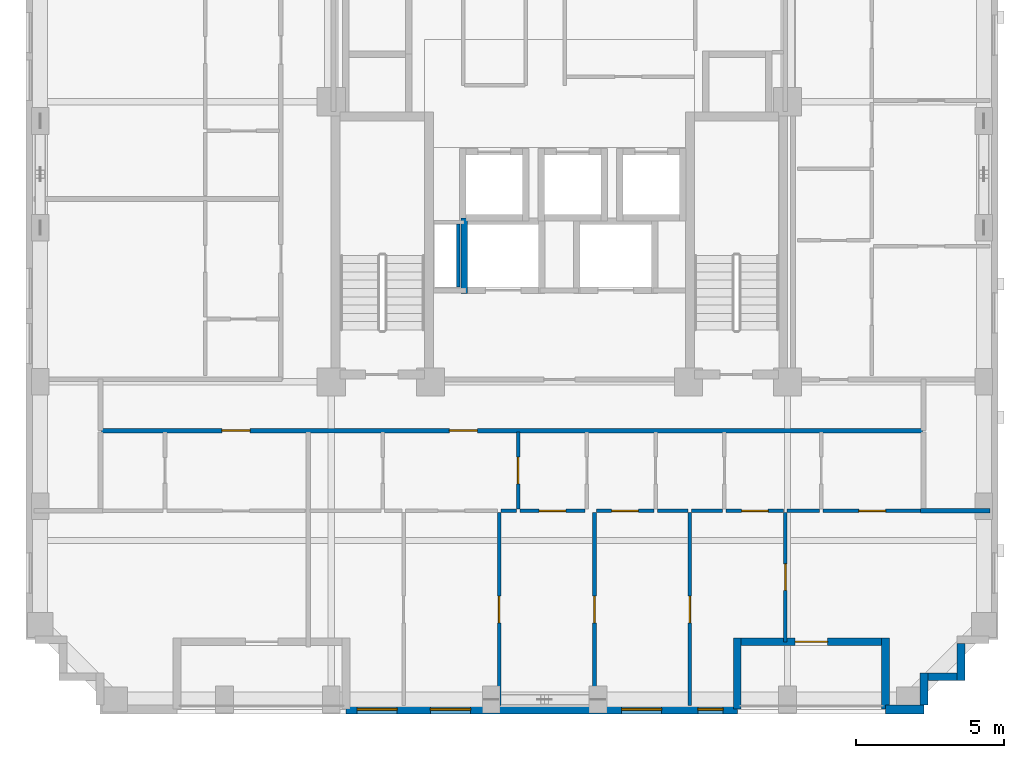
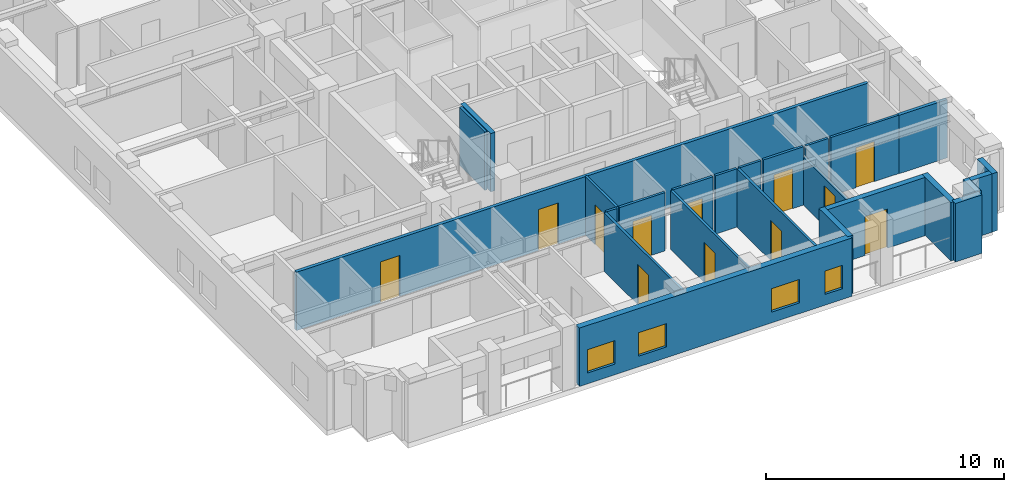
# One storey, part 3 of 11: 25 walls, 12 doors, 4 windows, 16 openings.
"""IFC4 building model written with IfcOpenShell, lengths in metres."""

import ifcopenshell
import ifcopenshell.guid

model = None  # the IFC model being written
_history = None  # IfcOwnerHistory: only IFC2X3 demands one
_inside = {}  # id of a spatial element -> (the spatial element, [elements in it])
_under = {}  # id of a project, library or spatial element -> (it, [spatial elements below it])
_declared = {}  # id of a project -> (the project, [libraries it declares])
_typed = {}  # id of a type object -> (the type object, [elements of that type])
_made_of = {}  # id of a material, layer set ... -> (it, [elements and type objects made of it])


def new_model(schema):
    """Start an empty IFC model of exactly this schema.

    Asked for "IFC4X3", IfcOpenShell would pick the latest addendum, in which some entities
    have other attributes; the version numbers below select the first issue.
    IFC2X3 requires an IfcOwnerHistory on every rooted entity: one is made here for all.
    """
    global model, _history
    if schema == "IFC4X3":
        model = ifcopenshell.file(schema_version=(4, 3, 0, 0))
    else:
        model = ifcopenshell.file(schema=schema)
    _inside.clear()
    _under.clear()
    _declared.clear()
    _typed.clear()
    _made_of.clear()
    _history = None
    if model.schema == "IFC2X3":
        org = make("IfcOrganization", Name="unknown")
        user = make(
            "IfcPersonAndOrganization",
            ThePerson=make("IfcPerson", FamilyName="unknown"),
            TheOrganization=org,
        )
        app = make(
            "IfcApplication",
            ApplicationDeveloper=org,
            Version="unknown",
            ApplicationFullName="unknown",
            ApplicationIdentifier="unknown",
        )
        _history = make(
            "IfcOwnerHistory",
            OwningUser=user,
            OwningApplication=app,
            ChangeAction="ADDED",
            CreationDate=0,
        )
    return model


def make(cls, **values):
    """One entity of the class cls with the attributes given. An attribute that is None is left unset."""
    return model.create_entity(
        cls, **{name: value for name, value in values.items() if value is not None}
    )


def rooted(cls, **values):
    """An entity with a GlobalId (a new one), such as an element, a storey or a relation."""
    return make(cls, GlobalId=ifcopenshell.guid.new(), OwnerHistory=_history, **values)


def si_unit(unit_type, name, prefix=None):
    """IfcSIUnit, for example si_unit("LENGTHUNIT", "METRE", prefix="MILLI")."""
    return make("IfcSIUnit", UnitType=unit_type, Prefix=prefix, Name=name)


def derived_unit(unit_type, elements):
    """IfcDerivedUnit: a product of units, each with its exponent."""
    return make(
        "IfcDerivedUnit",
        Elements=[
            make("IfcDerivedUnitElement", Unit=unit, Exponent=power)
            for unit, power in elements
        ],
        UnitType=unit_type,
    )


def assignment(units):
    """IfcUnitAssignment: the units of a project."""
    return None if units is None else make("IfcUnitAssignment", Units=units)


def point(xyz):
    """IfcCartesianPoint."""
    return None if xyz is None else make("IfcCartesianPoint", Coordinates=xyz)


def direction(xyz):
    """IfcDirection."""
    return None if xyz is None else make("IfcDirection", DirectionRatios=xyz)


def frame(location, z_axis=None, x_axis=None):
    """IfcAxis2Placement3D, a coordinate frame: its origin and axes. An axis left out is left unset."""
    return make(
        "IfcAxis2Placement3D",
        Location=point(location),
        Axis=direction(z_axis),
        RefDirection=direction(x_axis),
    )


def frame_2d(location, x_axis=None):
    """IfcAxis2Placement2D, a coordinate frame in the plane: its origin and x axis."""
    return make(
        "IfcAxis2Placement2D", Location=point(location), RefDirection=direction(x_axis)
    )


def origin():
    """The frame at (0, 0, 0) with its axes left unset."""
    return frame((0.0, 0.0, 0.0))


def place(relative_to, where):
    """IfcLocalPlacement: puts the frame where relative to a parent placement (None: the world)."""
    return make(
        "IfcLocalPlacement", PlacementRelTo=relative_to, RelativePlacement=where
    )


def context(
    kind, dimensions, precision=None, world=None, true_north=None, identifier=None
):
    """IfcGeometricRepresentationContext, for example the 3D "Model" context."""
    return make(
        "IfcGeometricRepresentationContext",
        ContextIdentifier=identifier,
        ContextType=kind,
        CoordinateSpaceDimension=dimensions,
        Precision=precision,
        WorldCoordinateSystem=world,
        TrueNorth=true_north,
    )


def subcontext(parent, identifier, kind, view, scale=None):
    """IfcGeometricRepresentationSubContext, for example "Body" below "Model"."""
    return make(
        "IfcGeometricRepresentationSubContext",
        ContextIdentifier=identifier,
        ContextType=kind,
        ParentContext=parent,
        TargetScale=scale,
        TargetView=view,
    )


def project(units=None, contexts=None):
    """IfcProject with its units and contexts."""
    return rooted(
        "IfcProject",
        Name="project",
        RepresentationContexts=contexts,
        UnitsInContext=assignment(units),
    )


def spatial(cls, under=None, at=None, **own):
    """A site, building, storey or space (cls), placed at a placement, below another one or the project."""
    s = rooted(cls, ObjectPlacement=at, **own)
    if under is not None:
        _under.setdefault(under.id(), (under, []))[1].append(s)
    return s


def profile(cls, at=None, kind="AREA", **sizes):
    """A parametric profile (cls). Its sizes go by their IFC names, for example OverallWidth=200.0."""
    return make(cls, ProfileType=kind, Position=at, **sizes)


def rectangle(**sizes):
    """IfcRectangleProfileDef."""
    return profile("IfcRectangleProfileDef", **sizes)


def extrude(swept, where, along, depth):
    """IfcExtrudedAreaSolid: the profile swept, set in the frame where, extruded along a direction by depth."""
    return make(
        "IfcExtrudedAreaSolid",
        SweptArea=swept,
        Position=where,
        ExtrudedDirection=direction(along),
        Depth=depth,
    )


def shape(context_of_items, identifier, shape_type, items):
    """IfcShapeRepresentation: the items that make up one representation, for example the "Body"."""
    return make(
        "IfcShapeRepresentation",
        ContextOfItems=context_of_items,
        RepresentationIdentifier=identifier,
        RepresentationType=shape_type,
        Items=items,
    )


def material(Name=None, Category=None):
    """IfcMaterial."""
    return make("IfcMaterial", Name=Name, Category=Category)


def layer(
    of_material, thickness, ventilated=None, Name=None, Category=None, Priority=None
):
    """IfcMaterialLayer: one layer of a wall or slab, of a material (None: an air gap)."""
    return make(
        "IfcMaterialLayer",
        Material=of_material,
        LayerThickness=thickness,
        IsVentilated=ventilated,
        Name=Name,
        Category=Category,
        Priority=Priority,
    )


def layer_set(layers, Name=None):
    """IfcMaterialLayerSet."""
    return make("IfcMaterialLayerSet", MaterialLayers=layers, LayerSetName=Name)


def made_of(thing, what):
    """Note that an element or type object is made of a material, layer set ...; save() writes the relation."""
    if what is not None:
        _made_of.setdefault(what.id(), (what, []))[1].append(thing)
    return thing


def type_object(cls, material=None, **own):
    """A type object (cls), such as IfcWallType, which elements share."""
    return made_of(rooted(cls, **own), material)


def element(
    cls,
    number,
    at=None,
    inside=None,
    cuts=None,
    type_object=None,
    material=None,
    context=None,
    identifier="Body",
    shape_type=None,
    held_by="IfcProductDefinitionShape",
    body=None,
    shapes=None,
    **own,
):
    """One element of the class cls, such as IfcWall. Its Tag is "e" and its number.

    at: its placement. inside: the storey or other place that contains it. cuts: it is an
    opening in that element (IfcRelVoidsElement). A single representation is given by context,
    identifier, shape_type and body (its items); several are given by shapes. held_by: the class
    of the entity that holds the representations. save() writes the other relations.
    """
    e = rooted(cls, Tag="e%d" % number, ObjectPlacement=at, **own)
    if body is not None:
        shapes = [shape(context, identifier, shape_type, body)]
    if shapes is not None:
        e.Representation = make(held_by, Representations=shapes)
    if inside is not None:
        _inside.setdefault(inside.id(), (inside, []))[1].append(e)
    if cuts is not None:
        rooted(
            "IfcRelVoidsElement", RelatingBuildingElement=cuts, RelatedOpeningElement=e
        )
    if type_object is not None:
        _typed.setdefault(type_object.id(), (type_object, []))[1].append(e)
    return made_of(e, material)


def fill(opening, filler):
    """IfcRelFillsElement: the door or window that sits in an opening."""
    return rooted(
        "IfcRelFillsElement",
        RelatingOpeningElement=opening,
        RelatedBuildingElement=filler,
    )


def aggregate(whole, parts):
    """IfcRelAggregates: a whole, such as a stair, and the parts it consists of."""
    return rooted("IfcRelAggregates", RelatingObject=whole, RelatedObjects=parts)


def save(model, path):
    """Write the relations noted so far, then the file.

    IfcRelAggregates (storeys below a building ...), IfcRelContainedInSpatialStructure (elements
    in a storey), IfcRelDefinesByType, IfcRelAssociatesMaterial and IfcRelDeclares: one each for
    every whole, place, type object, material and project.
    """
    for whole, parts in _under.values():
        aggregate(whole, parts)
    for where, things in _inside.values():
        rooted(
            "IfcRelContainedInSpatialStructure",
            RelatedElements=things,
            RelatingStructure=where,
        )
    for kind, things in _typed.values():
        rooted("IfcRelDefinesByType", RelatedObjects=things, RelatingType=kind)
    for what, things in _made_of.values():
        rooted("IfcRelAssociatesMaterial", RelatedObjects=things, RelatingMaterial=what)
    for by, libraries in _declared.values():
        rooted("IfcRelDeclares", RelatingContext=by, RelatedDefinitions=libraries)
    model.write(path)


model = new_model("IFC4")

# Units and contexts
model_context = context("Model", 3, precision=1e-05, world=origin(), true_north=direction((0.0, 1.0)))
body_context = subcontext(model_context, "Body", "Model", "MODEL_VIEW")
ifc_project = project(units=[si_unit("LENGTHUNIT", "METRE"), si_unit("AREAUNIT", "SQUARE_METRE"), si_unit("VOLUMEUNIT", "CUBIC_METRE"), si_unit("PLANEANGLEUNIT", "RADIAN"), si_unit("MASSUNIT", "GRAM", prefix="KILO"), derived_unit("THERMALTRANSMITTANCEUNIT", [(si_unit("MASSUNIT", "GRAM", prefix="KILO"), 1), (si_unit("TIMEUNIT", "SECOND"), -3), (si_unit("THERMODYNAMICTEMPERATUREUNIT", "KELVIN"), -1)])], contexts=[model_context])

# Site, building, storey
site_placement = place(None, origin())
site = spatial("IfcSite", under=ifc_project, at=site_placement, CompositionType="ELEMENT")
building_placement = place(site_placement, origin())
building = spatial("IfcBuilding", under=site, at=building_placement, Name="Korrvale Station Residences", CompositionType="ELEMENT")
storey_placement = place(building_placement, frame((0.0, 0.0, 147.14990234375)))
storey = spatial("IfcBuildingStorey", under=building, at=storey_placement, Name="L42", CompositionType="ELEMENT", Elevation=147.14990234375)

# Wall
ifc_material_1 = material(Name="Precast concrete C45/55", Category="concrete")
ifc_layer_1 = layer(ifc_material_1, 0.260009765625, Name="Precast concrete C45/55")
ifc_layer_set_1 = layer_set([ifc_layer_1], Name="Precast concrete C45/55")
wall_type_1 = type_object("IfcWallType", Name="WAL-EXT-LOG260", PredefinedType="SOLIDWALL", material=ifc_layer_set_1)
wall_1_placement = place(storey_placement, frame((36.5, 3.9599609375, 0.0), z_axis=(0.0, 0.0, 1.0), x_axis=(0.0, 1.0, 0.0)))
element("IfcWall", 1, at=wall_1_placement, inside=storey, type_object=wall_type_1, Name="L42 Recessed Loggia Wall BAL-L42-S2-L", PredefinedType="SOLIDWALL", context=body_context, shape_type="SweptSolid", body=[
    extrude(rectangle(XDim=2.400146484375, YDim=0.260009765625, at=frame_2d((1.2001953125, 0.0))), origin(), (0.0, 0.0, 1.0), 2.989990234375),
])

# Wall, opening, door
wall_2_placement = place(storey_placement, frame((36.365966796875, 6.22998046875, 0.0), z_axis=(0.0, 0.0, 1.0), x_axis=(-1.0, 0.0, 0.0)))
wall_2 = element("IfcWall", 2, at=wall_2_placement, inside=storey, type_object=wall_type_1, Name="L42 Recessed Loggia Wall BAL-L42-S2-B", PredefinedType="SOLIDWALL", context=body_context, shape_type="SweptSolid", body=[
    extrude(rectangle(XDim=4.73193359375, YDim=0.260009765625, at=frame_2d((2.365966796875, 0.0))), origin(), (0.0, 0.0, 1.0), 2.989990234375),
])
opening_1_placement = place(wall_2_placement, frame((1.81591796875, 0.0, 0.0)))
opening_1 = element("IfcOpeningElement", 3, at=opening_1_placement, cuts=wall_2, Name="Opening BD-01", PredefinedType="OPENING", context=body_context, shape_type="SweptSolid", body=[
    extrude(rectangle(XDim=1.10009765625, YDim=2.0, at=frame_2d((0.550048828125, 1.0))), frame((0.0, 0.14013671875, 0.0), z_axis=(0.0, -1.0, 0.0), x_axis=(1.0, 0.0, 0.0)), (0.0, 0.0, 1.0), 0.280029296875),
])
ifc_material_2 = material(Name="Exterior thermally broken aluminium glazed balcony door", Category="aluminium")
door_type_1 = type_object("IfcDoorType", Name="DR-EXT-BAL", OperationType="NOTDEFINED", PredefinedType="DOOR", material=ifc_material_2)
door_1_placement = place(opening_1_placement, origin())
door_1 = element("IfcDoor", 4, at=door_1_placement, inside=storey, type_object=door_type_1, Name="L42 Loggia Balcony Door BAL-L42-S2", OperationType="SINGLE_SWING_RIGHT", OverallHeight=2.0, OverallWidth=1.10009765625, PredefinedType="DOOR", context=body_context, shape_type="SweptSolid", body=[
    extrude(rectangle(XDim=1.10009765625, YDim=2.0, at=frame_2d((0.550048828125, 1.0))), frame((0.0, 0.02490234375, 0.0), z_axis=(0.0, -1.0, 0.0), x_axis=(1.0, 0.0, 0.0)), (0.0, 0.0, 1.0), 0.050048828125),
])
fill(opening_1, door_1)

# Walls
wall_3_placement = place(storey_placement, frame((31.5, 6.360107421875, 0.0), z_axis=(0.0, 0.0, 1.0), x_axis=(0.0, -1.0, 0.0)))
element("IfcWall", 5, at=wall_3_placement, inside=storey, type_object=wall_type_1, Name="L42 Recessed Loggia Wall BAL-L42-S2-R", PredefinedType="SOLIDWALL", context=body_context, shape_type="SweptSolid", body=[
    extrude(rectangle(XDim=2.400146484375, YDim=0.260009765625, at=frame_2d((1.2001953125, 0.0))), origin(), (0.0, 0.0, 1.0), 2.989990234375),
])
wall_4_placement = place(storey_placement, frame((39.050048828125, 6.16796875, 0.0), z_axis=(0.0, 0.0, 1.0), x_axis=(0.0, -1.0, 0.0)))
element("IfcWall", 6, at=wall_4_placement, inside=storey, type_object=wall_type_1, Name="L42 Serrated Corner Precast Step SE-2", PredefinedType="SOLIDWALL", context=body_context, shape_type="SweptSolid", body=[
    extrude(rectangle(XDim=1.248046875, YDim=0.260009765625, at=frame_2d((0.6240234375, 0.0))), origin(), (0.0, 0.0, 1.0), 2.989990234375),
])
wall_5_placement = place(storey_placement, frame((38.91796875, 5.050048828125, 0.0), z_axis=(0.0, 0.0, 1.0), x_axis=(-1.0, 0.0, 0.0)))
element("IfcWall", 7, at=wall_5_placement, inside=storey, type_object=wall_type_1, Name="L42 Serrated Corner Precast Step SE-3", PredefinedType="SOLIDWALL", context=body_context, shape_type="SweptSolid", body=[
    extrude(rectangle(XDim=0.986083984375, YDim=0.260009765625, at=frame_2d((0.4931640625, 0.0))), origin(), (0.0, 0.0, 1.0), 2.989990234375),
])
wall_6_placement = place(storey_placement, frame((37.800048828125, 5.179931640625, 0.0), z_axis=(0.0, 0.0, 1.0), x_axis=(0.0, -1.0, 0.0)))
element("IfcWall", 8, at=wall_6_placement, inside=storey, type_object=wall_type_1, Name="L42 Serrated Corner Precast Step SE-4", PredefinedType="SOLIDWALL", context=body_context, shape_type="SweptSolid", body=[
    extrude(rectangle(XDim=1.077880859375, YDim=0.260009765625, at=frame_2d((0.5390625, 0.0))), origin(), (0.0, 0.0, 1.0), 2.989990234375),
])
ifc_layer_2 = layer(ifc_material_1, 0.300048828125, Name="Precast concrete C45/55")
ifc_layer_set_2 = layer_set([ifc_layer_2], Name="Precast concrete C45/55")
wall_type_2 = type_object("IfcWallType", Name="WAL-EXT-PC300", PredefinedType="SOLIDWALL", material=ifc_layer_set_2)
wall_7_placement = place(storey_placement, frame((37.800048828125, 3.949951171875, 0.0), z_axis=(0.0, 0.0, 1.0), x_axis=(-1.0, 0.0, 0.0)))
element("IfcWall", 9, at=wall_7_placement, inside=storey, type_object=wall_type_2, Name="L42 South Exterior Precast Wall 1", PredefinedType="SOLIDWALL", context=body_context, shape_type="SweptSolid", body=[
    extrude(rectangle(XDim=1.300048828125, YDim=0.300048828125, at=frame_2d((0.64990234375, 0.0))), origin(), (0.0, 0.0, 1.0), 2.989990234375),
])

# Wall, openings, windows
wall_8_placement = place(storey_placement, frame((31.5, 3.949951171875, 0.0), z_axis=(0.0, 0.0, 1.0), x_axis=(-1.0, 0.0, 0.0)))
wall_8 = element("IfcWall", 10, at=wall_8_placement, inside=storey, type_object=wall_type_2, Name="L42 South Exterior Precast Wall 2", PredefinedType="SOLIDWALL", context=body_context, shape_type="SweptSolid", body=[
    extrude(rectangle(XDim=13.199951171875, YDim=0.300048828125, at=frame_2d((6.60009765625, 0.0))), origin(), (0.0, 0.0, 1.0), 2.989990234375),
])
opening_2_placement = place(wall_8_placement, frame((11.47607421875, 0.0, 0.550048828125)))
opening_2 = element("IfcOpeningElement", 11, at=opening_2_placement, cuts=wall_8, Name="Opening W-10", PredefinedType="OPENING", context=body_context, shape_type="SweptSolid", body=[
    extrude(rectangle(XDim=1.35009765625, YDim=1.199951171875, at=frame_2d((0.675048828125, 0.60009765625))), frame((0.0, 0.16015625, 0.0), z_axis=(0.0, -1.0, 0.0), x_axis=(1.0, 0.0, 0.0)), (0.0, 0.0, 1.0), 0.320068359375),
])
opening_3_placement = place(wall_8_placement, frame((9.0, 0.0, 0.550048828125)))
opening_3 = element("IfcOpeningElement", 12, at=opening_3_placement, cuts=wall_8, Name="Opening W-10", PredefinedType="OPENING", context=body_context, shape_type="SweptSolid", body=[
    extrude(rectangle(XDim=1.35009765625, YDim=1.199951171875, at=frame_2d((0.675048828125, 0.60009765625))), frame((0.0, 0.16015625, 0.0), z_axis=(0.0, -1.0, 0.0), x_axis=(1.0, 0.0, 0.0)), (0.0, 0.0, 1.0), 0.320068359375),
])
opening_4_placement = place(wall_8_placement, frame((2.550048828125, 0.0, 0.550048828125)))
opening_4 = element("IfcOpeningElement", 13, at=opening_4_placement, cuts=wall_8, Name="Opening W-10", PredefinedType="OPENING", context=body_context, shape_type="SweptSolid", body=[
    extrude(rectangle(XDim=1.35009765625, YDim=1.199951171875, at=frame_2d((0.675048828125, 0.60009765625))), frame((0.0, 0.16015625, 0.0), z_axis=(0.0, -1.0, 0.0), x_axis=(1.0, 0.0, 0.0)), (0.0, 0.0, 1.0), 0.320068359375),
])
opening_5_placement = place(wall_8_placement, frame((0.47509765625, 0.0, 0.550048828125)))
opening_5 = element("IfcOpeningElement", 14, at=opening_5_placement, cuts=wall_8, Name="Opening W-11", PredefinedType="OPENING", context=body_context, shape_type="SweptSolid", body=[
    extrude(rectangle(XDim=0.85009765625, YDim=1.199951171875, at=frame_2d((0.425048828125, 0.60009765625))), frame((0.0, 0.16015625, 0.0), z_axis=(0.0, -1.0, 0.0), x_axis=(1.0, 0.0, 0.0)), (0.0, 0.0, 1.0), 0.320068359375),
])
ifc_material_3 = material(Name="Thermally broken aluminium frame with triple low-e glazing", Category="aluminium")
window_type_1 = type_object("IfcWindowType", Name="WIN-W10", PartitioningType="SINGLE_PANEL", PredefinedType="WINDOW", material=ifc_material_3)
window_1_placement = place(opening_2_placement, origin())
window_1 = element("IfcWindow", 15, at=window_1_placement, inside=storey, type_object=window_type_1, Name="L42 Punched Window 02", OverallHeight=1.199951171875, OverallWidth=1.35009765625, PartitioningType="SINGLE_PANEL", PredefinedType="WINDOW", context=body_context, shape_type="SweptSolid", body=[
    extrude(rectangle(XDim=1.35009765625, YDim=1.199951171875, at=frame_2d((0.675048828125, 0.60009765625))), frame((0.0, 0.030029296875, 0.0), z_axis=(0.0, -1.0, 0.0), x_axis=(1.0, 0.0, 0.0)), (0.0, 0.0, 1.0), 0.06005859375),
])
fill(opening_2, window_1)
window_2_placement = place(opening_3_placement, origin())
window_2 = element("IfcWindow", 16, at=window_2_placement, inside=storey, type_object=window_type_1, Name="L42 Punched Window 03", OverallHeight=1.199951171875, OverallWidth=1.35009765625, PartitioningType="SINGLE_PANEL", PredefinedType="WINDOW", context=body_context, shape_type="SweptSolid", body=[
    extrude(rectangle(XDim=1.35009765625, YDim=1.199951171875, at=frame_2d((0.675048828125, 0.60009765625))), frame((0.0, 0.030029296875, 0.0), z_axis=(0.0, -1.0, 0.0), x_axis=(1.0, 0.0, 0.0)), (0.0, 0.0, 1.0), 0.06005859375),
])
fill(opening_3, window_2)
window_3_placement = place(opening_4_placement, origin())
window_3 = element("IfcWindow", 17, at=window_3_placement, inside=storey, type_object=window_type_1, Name="L42 Punched Window 04", OverallHeight=1.199951171875, OverallWidth=1.35009765625, PartitioningType="SINGLE_PANEL", PredefinedType="WINDOW", context=body_context, shape_type="SweptSolid", body=[
    extrude(rectangle(XDim=1.35009765625, YDim=1.199951171875, at=frame_2d((0.675048828125, 0.60009765625))), frame((0.0, 0.030029296875, 0.0), z_axis=(0.0, -1.0, 0.0), x_axis=(1.0, 0.0, 0.0)), (0.0, 0.0, 1.0), 0.06005859375),
])
fill(opening_4, window_3)
window_type_2 = type_object("IfcWindowType", Name="WIN-W11", PartitioningType="SINGLE_PANEL", PredefinedType="WINDOW", material=ifc_material_3)
window_4_placement = place(opening_5_placement, origin())
window_4 = element("IfcWindow", 18, at=window_4_placement, inside=storey, type_object=window_type_2, Name="L42 Punched Window 05", OverallHeight=1.199951171875, OverallWidth=0.85009765625, PartitioningType="SINGLE_PANEL", PredefinedType="WINDOW", context=body_context, shape_type="SweptSolid", body=[
    extrude(rectangle(XDim=0.85009765625, YDim=1.199951171875, at=frame_2d((0.425048828125, 0.60009765625))), frame((0.0, 0.030029296875, 0.0), z_axis=(0.0, -1.0, 0.0), x_axis=(1.0, 0.0, 0.0)), (0.0, 0.0, 1.0), 0.06005859375),
])
fill(opening_5, window_4)

# Wall
ifc_material_4 = material(Name="Acoustic steel-stud gypsum board partition", Category="steel")
ifc_layer_3 = layer(ifc_material_4, 0.1201171875, Name="Acoustic steel-stud gypsum board partition")
ifc_layer_set_3 = layer_set([ifc_layer_3], Name="Acoustic steel-stud gypsum board partition")
wall_type_3 = type_object("IfcWallType", Name="WAL-PART-125", PredefinedType="PARTITIONING", material=ifc_layer_set_3)
wall_9_placement = place(storey_placement, frame((22.080078125, 18.199951171875, 0.0), z_axis=(0.0, 0.0, 1.0), x_axis=(0.0, 1.0, 0.0)))
element("IfcWall", 19, at=wall_9_placement, inside=storey, type_object=wall_type_3, Name="L42 Core Partition CW-RSWT", PredefinedType="PARTITIONING", context=body_context, shape_type="SweptSolid", body=[
    extrude(rectangle(XDim=2.1201171875, YDim=0.1201171875, at=frame_2d((1.06005859375, 0.0))), origin(), (0.0, 0.0, 1.0), 2.989990234375),
])

# Wall, opening, door
wall_10_placement = place(storey_placement, frame((24.10400390625, 10.7099609375, 0.0), z_axis=(0.0, 0.0, 1.0), x_axis=(0.0, 1.0, 0.0)))
wall_10 = element("IfcWall", 20, at=wall_10_placement, inside=storey, type_object=wall_type_3, Name="L42 Suite Partition U02-V12", PredefinedType="PARTITIONING", context=body_context, shape_type="SweptSolid", body=[
    extrude(rectangle(XDim=2.60009765625, YDim=0.1201171875, at=frame_2d((1.300048828125, 0.0))), origin(), (0.0, 0.0, 1.0), 2.989990234375),
])
opening_6_placement = place(wall_10_placement, frame((0.85009765625, 0.0, 0.0)))
opening_6 = element("IfcOpeningElement", 21, at=opening_6_placement, cuts=wall_10, Name="Opening DI-900", PredefinedType="OPENING", context=body_context, shape_type="SweptSolid", body=[
    extrude(rectangle(XDim=0.89990234375, YDim=2.050048828125, at=frame_2d((0.449951171875, 1.02490234375))), frame((0.0, 0.070068359375, 0.0), z_axis=(0.0, -1.0, 0.0), x_axis=(1.0, 0.0, 0.0)), (0.0, 0.0, 1.0), 0.14013671875),
])
ifc_material_5 = material(Name="Painted solid-core timber interior room door", Category="wood")
door_type_2 = type_object("IfcDoorType", Name="DR-INT-900", OperationType="NOTDEFINED", PredefinedType="DOOR", material=ifc_material_5)
door_2_placement = place(opening_6_placement, origin())
door_2 = element("IfcDoor", 22, at=door_2_placement, inside=storey, type_object=door_type_2, Name="L42 Studio Apartment L42-U02 Kitchen Door", OperationType="SINGLE_SWING_LEFT", OverallHeight=2.050048828125, OverallWidth=0.89990234375, PredefinedType="DOOR", context=body_context, shape_type="SweptSolid", body=[
    extrude(rectangle(XDim=0.89990234375, YDim=2.050048828125, at=frame_2d((0.449951171875, 1.02490234375))), frame((0.0, 0.02490234375, 0.0), z_axis=(0.0, -1.0, 0.0), x_axis=(1.0, 0.0, 0.0)), (0.0, 0.0, 1.0), 0.050048828125),
])
fill(opening_6, door_2)

# Wall
wall_11_placement = place(storey_placement, frame((23.52392578125, 10.64990234375, 0.0), z_axis=(0.0, 0.0, 1.0), x_axis=(1.0, 0.0, 0.0)))
element("IfcWall", 23, at=wall_11_placement, inside=storey, type_object=wall_type_3, Name="L42 Suite Partition U02-H19", PredefinedType="PARTITIONING", context=body_context, shape_type="SweptSolid", body=[
    extrude(rectangle(XDim=0.52001953125, YDim=0.1201171875, at=frame_2d((0.260009765625, 0.0))), origin(), (0.0, 0.0, 1.0), 2.989990234375),
])

# Wall, opening, door
wall_12_placement = place(storey_placement, frame((24.1640625, 10.64990234375, 0.0), z_axis=(0.0, 0.0, 1.0), x_axis=(1.0, 0.0, 0.0)))
wall_12 = element("IfcWall", 24, at=wall_12_placement, inside=storey, type_object=wall_type_3, Name="L42 Suite Partition U02-H29", PredefinedType="PARTITIONING", context=body_context, shape_type="SweptSolid", body=[
    extrude(rectangle(XDim=2.199951171875, YDim=0.1201171875, at=frame_2d((1.10009765625, 0.0))), origin(), (0.0, 0.0, 1.0), 2.989990234375),
])
opening_7_placement = place(wall_12_placement, frame((0.64990234375, 0.0, 0.0)))
opening_7 = element("IfcOpeningElement", 25, at=opening_7_placement, cuts=wall_12, Name="Opening DI-900", PredefinedType="OPENING", context=body_context, shape_type="SweptSolid", body=[
    extrude(rectangle(XDim=0.89990234375, YDim=2.050048828125, at=frame_2d((0.449951171875, 1.02490234375))), frame((0.0, 0.070068359375, 0.0), z_axis=(0.0, -1.0, 0.0), x_axis=(1.0, 0.0, 0.0)), (0.0, 0.0, 1.0), 0.14013671875),
])
door_3_placement = place(opening_7_placement, origin())
door_3 = element("IfcDoor", 26, at=door_3_placement, inside=storey, type_object=door_type_2, Name="L42 Studio Apartment L42-U02 Wardrobe Storage Room Door", OperationType="SINGLE_SWING_RIGHT", OverallHeight=2.050048828125, OverallWidth=0.89990234375, PredefinedType="DOOR", context=body_context, shape_type="SweptSolid", body=[
    extrude(rectangle(XDim=0.89990234375, YDim=2.050048828125, at=frame_2d((0.449951171875, 1.02490234375))), frame((0.0, 0.02490234375, 0.0), z_axis=(0.0, -1.0, 0.0), x_axis=(1.0, 0.0, 0.0)), (0.0, 0.0, 1.0), 0.050048828125),
])
fill(opening_7, door_3)

wall_13_placement = place(storey_placement, frame((26.743896484375, 10.64990234375, 0.0), z_axis=(0.0, 0.0, 1.0), x_axis=(1.0, 0.0, 0.0)))
wall_13 = element("IfcWall", 27, at=wall_13_placement, inside=storey, type_object=wall_type_3, Name="L42 Suite Partition U02-H310", PredefinedType="PARTITIONING", context=body_context, shape_type="SweptSolid", body=[
    extrude(rectangle(XDim=1.940185546875, YDim=0.1201171875, at=frame_2d((0.97021484375, 0.0))), origin(), (0.0, 0.0, 1.0), 2.989990234375),
])
opening_8_placement = place(wall_13_placement, frame((0.52001953125, 0.0, 0.0)))
opening_8 = element("IfcOpeningElement", 28, at=opening_8_placement, cuts=wall_13, Name="Opening DI-900", PredefinedType="OPENING", context=body_context, shape_type="SweptSolid", body=[
    extrude(rectangle(XDim=0.89990234375, YDim=2.050048828125, at=frame_2d((0.449951171875, 1.02490234375))), frame((0.0, 0.070068359375, 0.0), z_axis=(0.0, -1.0, 0.0), x_axis=(1.0, 0.0, 0.0)), (0.0, 0.0, 1.0), 0.14013671875),
])
door_4_placement = place(opening_8_placement, origin())
door_4 = element("IfcDoor", 29, at=door_4_placement, inside=storey, type_object=door_type_2, Name="L42 Studio Apartment L42-U02 Wardrobe Storage Room Door", OperationType="SINGLE_SWING_RIGHT", OverallHeight=2.050048828125, OverallWidth=0.89990234375, PredefinedType="DOOR", context=body_context, shape_type="SweptSolid", body=[
    extrude(rectangle(XDim=0.89990234375, YDim=2.050048828125, at=frame_2d((0.449951171875, 1.02490234375))), frame((0.0, 0.02490234375, 0.0), z_axis=(0.0, -1.0, 0.0), x_axis=(1.0, 0.0, 0.0)), (0.0, 0.0, 1.0), 0.050048828125),
])
fill(opening_8, door_4)

# Walls
wall_14_placement = place(storey_placement, frame((28.803955078125, 10.64990234375, 0.0), z_axis=(0.0, 0.0, 1.0), x_axis=(1.0, 0.0, 0.0)))
element("IfcWall", 30, at=wall_14_placement, inside=storey, type_object=wall_type_3, Name="L42 Suite Partition U02-H410", PredefinedType="PARTITIONING", context=body_context, shape_type="SweptSolid", body=[
    extrude(rectangle(XDim=1.0400390625, YDim=0.1201171875, at=frame_2d((0.52001953125, 0.0))), origin(), (0.0, 0.0, 1.0), 2.989990234375),
])
wall_15_placement = place(storey_placement, frame((29.964111328125, 10.64990234375, 0.0), z_axis=(0.0, 0.0, 1.0), x_axis=(1.0, 0.0, 0.0)))
element("IfcWall", 31, at=wall_15_placement, inside=storey, type_object=wall_type_3, Name="L42 Suite Partition U02-H411", PredefinedType="PARTITIONING", context=body_context, shape_type="SweptSolid", body=[
    extrude(rectangle(XDim=1.039794921875, YDim=0.1201171875, at=frame_2d((0.52001953125, 0.0))), origin(), (0.0, 0.0, 1.0), 2.989990234375),
])

# Wall, opening, door
wall_16_placement = place(storey_placement, frame((31.1240234375, 10.64990234375, 0.0), z_axis=(0.0, 0.0, 1.0), x_axis=(1.0, 0.0, 0.0)))
wall_16 = element("IfcWall", 32, at=wall_16_placement, inside=storey, type_object=wall_type_3, Name="L42 Suite Partition U02-H511", PredefinedType="PARTITIONING", context=body_context, shape_type="SweptSolid", body=[
    extrude(rectangle(XDim=1.93994140625, YDim=0.1201171875, at=frame_2d((0.969970703125, 0.0))), origin(), (0.0, 0.0, 1.0), 2.989990234375),
])
opening_9_placement = place(wall_16_placement, frame((0.52001953125, 0.0, 0.0)))
opening_9 = element("IfcOpeningElement", 33, at=opening_9_placement, cuts=wall_16, Name="Opening DI-900", PredefinedType="OPENING", context=body_context, shape_type="SweptSolid", body=[
    extrude(rectangle(XDim=0.89990234375, YDim=2.050048828125, at=frame_2d((0.449951171875, 1.02490234375))), frame((0.0, 0.070068359375, 0.0), z_axis=(0.0, -1.0, 0.0), x_axis=(1.0, 0.0, 0.0)), (0.0, 0.0, 1.0), 0.14013671875),
])
door_5_placement = place(opening_9_placement, origin())
door_5 = element("IfcDoor", 34, at=door_5_placement, inside=storey, type_object=door_type_2, Name="L42 Studio Apartment L42-U02 Utility and Laundry Room Door", OperationType="SINGLE_SWING_LEFT", OverallHeight=2.050048828125, OverallWidth=0.89990234375, PredefinedType="DOOR", context=body_context, shape_type="SweptSolid", body=[
    extrude(rectangle(XDim=0.89990234375, YDim=2.050048828125, at=frame_2d((0.449951171875, 1.02490234375))), frame((0.0, 0.02490234375, 0.0), z_axis=(0.0, -1.0, 0.0), x_axis=(1.0, 0.0, 0.0)), (0.0, 0.0, 1.0), 0.050048828125),
])
fill(opening_9, door_5)

# Wall
wall_17_placement = place(storey_placement, frame((33.18408203125, 10.64990234375, 0.0), z_axis=(0.0, 0.0, 1.0), x_axis=(1.0, 0.0, 0.0)))
element("IfcWall", 35, at=wall_17_placement, inside=storey, type_object=wall_type_3, Name="L42 Suite Partition U02-H512", PredefinedType="PARTITIONING", context=body_context, shape_type="SweptSolid", body=[
    extrude(rectangle(XDim=1.08984375, YDim=0.1201171875, at=frame_2d((0.544921875, 0.0))), origin(), (0.0, 0.0, 1.0), 2.989990234375),
])

# Wall, opening, door
wall_18_placement = place(storey_placement, frame((34.39404296875, 10.64990234375, 0.0), z_axis=(0.0, 0.0, 1.0), x_axis=(1.0, 0.0, 0.0)))
wall_18 = element("IfcWall", 36, at=wall_18_placement, inside=storey, type_object=wall_type_3, Name="L42 Suite Partition U02-H612", PredefinedType="PARTITIONING", context=body_context, shape_type="SweptSolid", body=[
    extrude(rectangle(XDim=3.325927734375, YDim=0.1201171875, at=frame_2d((1.6630859375, 0.0))), origin(), (0.0, 0.0, 1.0), 2.989990234375),
])
opening_10_placement = place(wall_18_placement, frame((1.212890625, 0.0, 0.0)))
opening_10 = element("IfcOpeningElement", 37, at=opening_10_placement, cuts=wall_18, Name="Opening DI-900", PredefinedType="OPENING", context=body_context, shape_type="SweptSolid", body=[
    extrude(rectangle(XDim=0.89990234375, YDim=2.050048828125, at=frame_2d((0.449951171875, 1.02490234375))), frame((0.0, 0.070068359375, 0.0), z_axis=(0.0, -1.0, 0.0), x_axis=(1.0, 0.0, 0.0)), (0.0, 0.0, 1.0), 0.14013671875),
])
door_6_placement = place(opening_10_placement, origin())
door_6 = element("IfcDoor", 38, at=door_6_placement, inside=storey, type_object=door_type_2, Name="L42 Studio Apartment L42-U02 Storage Closet 2 Door", OperationType="SINGLE_SWING_RIGHT", OverallHeight=2.050048828125, OverallWidth=0.89990234375, PredefinedType="DOOR", context=body_context, shape_type="SweptSolid", body=[
    extrude(rectangle(XDim=0.89990234375, YDim=2.050048828125, at=frame_2d((0.449951171875, 1.02490234375))), frame((0.0, 0.02490234375, 0.0), z_axis=(0.0, -1.0, 0.0), x_axis=(1.0, 0.0, 0.0)), (0.0, 0.0, 1.0), 0.050048828125),
])
fill(opening_10, door_6)

wall_19_placement = place(storey_placement, frame((23.464111328125, 4.080078125, 0.0), z_axis=(0.0, 0.0, 1.0), x_axis=(0.0, 1.0, 0.0)))
wall_19 = element("IfcWall", 39, at=wall_19_placement, inside=storey, type_object=wall_type_3, Name="L42 Suite Partition U02-V89", PredefinedType="PARTITIONING", context=body_context, shape_type="SweptSolid", body=[
    extrude(rectangle(XDim=6.510009765625, YDim=0.1201171875, at=frame_2d((3.2548828125, 0.0))), origin(), (0.0, 0.0, 1.0), 2.989990234375),
])
opening_11_placement = place(wall_19_placement, frame((2.7900390625, 0.0, 0.0)))
opening_11 = element("IfcOpeningElement", 40, at=opening_11_placement, cuts=wall_19, Name="Opening DI-900", PredefinedType="OPENING", context=body_context, shape_type="SweptSolid", body=[
    extrude(rectangle(XDim=0.89990234375, YDim=2.050048828125, at=frame_2d((0.449951171875, 1.02490234375))), frame((0.0, 0.070068359375, 0.0), z_axis=(0.0, -1.0, 0.0), x_axis=(1.0, 0.0, 0.0)), (0.0, 0.0, 1.0), 0.14013671875),
])
door_7_placement = place(opening_11_placement, origin())
door_7 = element("IfcDoor", 41, at=door_7_placement, inside=storey, type_object=door_type_2, Name="L42 Studio Apartment L42-U02 Formal Dining Room Door", OperationType="SINGLE_SWING_RIGHT", OverallHeight=2.050048828125, OverallWidth=0.89990234375, PredefinedType="DOOR", context=body_context, shape_type="SweptSolid", body=[
    extrude(rectangle(XDim=0.89990234375, YDim=2.050048828125, at=frame_2d((0.449951171875, 1.02490234375))), frame((0.0, 0.02490234375, 0.0), z_axis=(0.0, -1.0, 0.0), x_axis=(1.0, 0.0, 0.0)), (0.0, 0.0, 1.0), 0.050048828125),
])
fill(opening_11, door_7)

wall_20_placement = place(storey_placement, frame((26.68408203125, 4.080078125, 0.0), z_axis=(0.0, 0.0, 1.0), x_axis=(0.0, 1.0, 0.0)))
wall_20 = element("IfcWall", 42, at=wall_20_placement, inside=storey, type_object=wall_type_3, Name="L42 Suite Partition U02-V910", PredefinedType="PARTITIONING", context=body_context, shape_type="SweptSolid", body=[
    extrude(rectangle(XDim=6.510009765625, YDim=0.1201171875, at=frame_2d((3.2548828125, 0.0))), origin(), (0.0, 0.0, 1.0), 2.989990234375),
])
opening_12_placement = place(wall_20_placement, frame((2.7900390625, 0.0, 0.0)))
opening_12 = element("IfcOpeningElement", 43, at=opening_12_placement, cuts=wall_20, Name="Opening DI-900", PredefinedType="OPENING", context=body_context, shape_type="SweptSolid", body=[
    extrude(rectangle(XDim=0.89990234375, YDim=2.050048828125, at=frame_2d((0.449951171875, 1.02490234375))), frame((0.0, 0.070068359375, 0.0), z_axis=(0.0, -1.0, 0.0), x_axis=(1.0, 0.0, 0.0)), (0.0, 0.0, 1.0), 0.14013671875),
])
door_8_placement = place(opening_12_placement, origin())
door_8 = element("IfcDoor", 44, at=door_8_placement, inside=storey, type_object=door_type_2, Name="L42 Studio Apartment L42-U02 Walk-In Wardrobe Door", OperationType="SINGLE_SWING_LEFT", OverallHeight=2.050048828125, OverallWidth=0.89990234375, PredefinedType="DOOR", context=body_context, shape_type="SweptSolid", body=[
    extrude(rectangle(XDim=0.89990234375, YDim=2.050048828125, at=frame_2d((0.449951171875, 1.02490234375))), frame((0.0, 0.02490234375, 0.0), z_axis=(0.0, -1.0, 0.0), x_axis=(1.0, 0.0, 0.0)), (0.0, 0.0, 1.0), 0.050048828125),
])
fill(opening_12, door_8)

wall_21_placement = place(storey_placement, frame((29.904052734375, 4.080078125, 0.0), z_axis=(0.0, 0.0, 1.0), x_axis=(0.0, 1.0, 0.0)))
wall_21 = element("IfcWall", 45, at=wall_21_placement, inside=storey, type_object=wall_type_3, Name="L42 Suite Partition U02-V1011", PredefinedType="PARTITIONING", context=body_context, shape_type="SweptSolid", body=[
    extrude(rectangle(XDim=6.510009765625, YDim=0.1201171875, at=frame_2d((3.2548828125, 0.0))), origin(), (0.0, 0.0, 1.0), 2.989990234375),
])
opening_13_placement = place(wall_21_placement, frame((2.7900390625, 0.0, 0.0)))
opening_13 = element("IfcOpeningElement", 46, at=opening_13_placement, cuts=wall_21, Name="Opening DI-900", PredefinedType="OPENING", context=body_context, shape_type="SweptSolid", body=[
    extrude(rectangle(XDim=0.89990234375, YDim=2.050048828125, at=frame_2d((0.449951171875, 1.02490234375))), frame((0.0, 0.070068359375, 0.0), z_axis=(0.0, -1.0, 0.0), x_axis=(1.0, 0.0, 0.0)), (0.0, 0.0, 1.0), 0.14013671875),
])
door_9_placement = place(opening_13_placement, origin())
door_9 = element("IfcDoor", 47, at=door_9_placement, inside=storey, type_object=door_type_2, Name="L42 Studio Apartment L42-U02 Formal Dining Room Door", OperationType="SINGLE_SWING_RIGHT", OverallHeight=2.050048828125, OverallWidth=0.89990234375, PredefinedType="DOOR", context=body_context, shape_type="SweptSolid", body=[
    extrude(rectangle(XDim=0.89990234375, YDim=2.050048828125, at=frame_2d((0.449951171875, 1.02490234375))), frame((0.0, 0.02490234375, 0.0), z_axis=(0.0, -1.0, 0.0), x_axis=(1.0, 0.0, 0.0)), (0.0, 0.0, 1.0), 0.050048828125),
])
fill(opening_13, door_9)

wall_22_placement = place(storey_placement, frame((33.1240234375, 6.22998046875, 0.0), z_axis=(0.0, 0.0, 1.0), x_axis=(0.0, 1.0, 0.0)))
wall_22 = element("IfcWall", 48, at=wall_22_placement, inside=storey, type_object=wall_type_3, Name="L42 Suite Partition U02-V1112", PredefinedType="PARTITIONING", context=body_context, shape_type="SweptSolid", body=[
    extrude(rectangle(XDim=4.360107421875, YDim=0.1201171875, at=frame_2d((2.18017578125, 0.0))), origin(), (0.0, 0.0, 1.0), 2.442138671875),
])
opening_14_placement = place(wall_22_placement, frame((1.72998046875, 0.0, 0.0)))
opening_14 = element("IfcOpeningElement", 49, at=opening_14_placement, cuts=wall_22, Name="Opening DI-900", PredefinedType="OPENING", context=body_context, shape_type="SweptSolid", body=[
    extrude(rectangle(XDim=0.89990234375, YDim=2.050048828125, at=frame_2d((0.449951171875, 1.02490234375))), frame((0.0, 0.070068359375, 0.0), z_axis=(0.0, -1.0, 0.0), x_axis=(1.0, 0.0, 0.0)), (0.0, 0.0, 1.0), 0.14013671875),
])
door_10_placement = place(opening_14_placement, origin())
door_10 = element("IfcDoor", 50, at=door_10_placement, inside=storey, type_object=door_type_2, Name="L42 Studio Apartment L42-U02 Formal Dining Room Door", OperationType="SINGLE_SWING_LEFT", OverallHeight=2.050048828125, OverallWidth=0.89990234375, PredefinedType="DOOR", context=body_context, shape_type="SweptSolid", body=[
    extrude(rectangle(XDim=0.89990234375, YDim=2.050048828125, at=frame_2d((0.449951171875, 1.02490234375))), frame((0.0, 0.02490234375, 0.0), z_axis=(0.0, -1.0, 0.0), x_axis=(1.0, 0.0, 0.0)), (0.0, 0.0, 1.0), 0.050048828125),
])
fill(opening_14, door_10)

# Wall
ifc_material_6 = material(Name="Fire-rated twin-stud gypsum and mineral wool shaftwall assembly", Category="gypsum")
ifc_layer_4 = layer(ifc_material_6, 0.159912109375, Name="Fire-rated twin-stud gypsum and mineral wool shaftwall assembly")
ifc_layer_set_4 = layer_set([ifc_layer_4], Name="Fire-rated twin-stud gypsum and mineral wool shaftwall assembly")
wall_type_4 = type_object("IfcWallType", Name="WAL-PART-200", PredefinedType="PARTITIONING", material=ifc_layer_set_4)
wall_23_placement = place(storey_placement, frame((37.679931640625, 10.64990234375, 0.0), z_axis=(0.0, 0.0, 1.0), x_axis=(1.0, 0.0, 0.0)))
element("IfcWall", 51, at=wall_23_placement, inside=storey, type_object=wall_type_4, Name="L42 Corner Step Wall U02-R", PredefinedType="PARTITIONING", context=body_context, shape_type="SweptSolid", body=[
    extrude(rectangle(XDim=2.340087890625, YDim=0.159912109375, at=frame_2d((1.169921875, 0.0))), origin(), (0.0, 0.0, 1.0), 2.989990234375),
])

# Wall, openings, doors
wall_24_placement = place(storey_placement, frame((10.050048828125, 13.35009765625, 0.0), z_axis=(0.0, 0.0, 1.0), x_axis=(1.0, 0.0, 0.0)))
wall_24 = element("IfcWall", 52, at=wall_24_placement, inside=storey, type_object=wall_type_4, Name="L42 Rated Corridor Wall S", PredefinedType="PARTITIONING", context=body_context, shape_type="SweptSolid", body=[
    extrude(rectangle(XDim=27.699951171875, YDim=0.159912109375, at=frame_2d((13.85009765625, 0.0))), origin(), (0.0, 0.0, 1.0), 2.989990234375),
])
opening_15_placement = place(wall_24_placement, frame((4.06298828125, 0.0, 0.0)))
opening_15 = element("IfcOpeningElement", 53, at=opening_15_placement, cuts=wall_24, Name="Opening UD-950", PredefinedType="OPENING", context=body_context, shape_type="SweptSolid", body=[
    extrude(rectangle(XDim=0.949951171875, YDim=2.10009765625, at=frame_2d((0.47509765625, 1.050048828125))), frame((0.0, 0.08984375, 0.0), z_axis=(0.0, -1.0, 0.0), x_axis=(1.0, 0.0, 0.0)), (0.0, 0.0, 1.0), 0.179931640625),
])
opening_16_placement = place(wall_24_placement, frame((11.735107421875, 0.0, 0.0)))
opening_16 = element("IfcOpeningElement", 54, at=opening_16_placement, cuts=wall_24, Name="Opening UD-950", PredefinedType="OPENING", context=body_context, shape_type="SweptSolid", body=[
    extrude(rectangle(XDim=0.949951171875, YDim=2.10009765625, at=frame_2d((0.47509765625, 1.050048828125))), frame((0.0, 0.08984375, 0.0), z_axis=(0.0, -1.0, 0.0), x_axis=(1.0, 0.0, 0.0)), (0.0, 0.0, 1.0), 0.179931640625),
])
ifc_material_7 = material(Name="Solid-core acoustic oak apartment entrance door", Category="timber")
door_type_3 = type_object("IfcDoorType", Name="DR-UNIT-950", OperationType="NOTDEFINED", PredefinedType="DOOR", material=ifc_material_7)
door_11_placement = place(opening_15_placement, origin())
door_11 = element("IfcDoor", 55, at=door_11_placement, inside=storey, type_object=door_type_3, Name="L42 Apartment L42-U01 Entrance Door", OperationType="SINGLE_SWING_LEFT", OverallHeight=2.10009765625, OverallWidth=0.949951171875, PredefinedType="DOOR", context=body_context, shape_type="SweptSolid", body=[
    extrude(rectangle(XDim=0.949951171875, YDim=2.10009765625, at=frame_2d((0.47509765625, 1.050048828125))), frame((0.0, 0.02490234375, 0.0), z_axis=(0.0, -1.0, 0.0), x_axis=(1.0, 0.0, 0.0)), (0.0, 0.0, 1.0), 0.050048828125),
])
fill(opening_15, door_11)
door_12_placement = place(opening_16_placement, origin())
door_12 = element("IfcDoor", 56, at=door_12_placement, inside=storey, type_object=door_type_3, Name="L42 Apartment L42-U02 Entrance Door", OperationType="SINGLE_SWING_RIGHT", OverallHeight=2.10009765625, OverallWidth=0.949951171875, PredefinedType="DOOR", context=body_context, shape_type="SweptSolid", body=[
    extrude(rectangle(XDim=0.949951171875, YDim=2.10009765625, at=frame_2d((0.47509765625, 1.050048828125))), frame((0.0, 0.02490234375, 0.0), z_axis=(0.0, -1.0, 0.0), x_axis=(1.0, 0.0, 0.0)), (0.0, 0.0, 1.0), 0.050048828125),
])
fill(opening_16, door_12)

# Wall
ifc_material_8 = material(Name="Concrete C60/75", Category="concrete")
ifc_layer_5 = layer(ifc_material_8, 0.219970703125, Name="Concrete C60/75")
ifc_layer_set_5 = layer_set([ifc_layer_5], Name="Concrete C60/75")
wall_type_5 = type_object("IfcWallType", Name="WAL-SHAFT-220-C60", PredefinedType="SHEAR", material=ifc_layer_set_5)
wall_25_placement = place(storey_placement, frame((22.2900390625, 17.97998046875, 0.0), z_axis=(0.0, 0.0, 1.0), x_axis=(0.0, 1.0, 0.0)))
element("IfcWall", 57, at=wall_25_placement, inside=storey, type_object=wall_type_5, Name="L42 Elevator FFL-1 Hoistway Wall West", PredefinedType="SHEAR", context=body_context, shape_type="SweptSolid", body=[
    extrude(rectangle(XDim=2.5400390625, YDim=0.219970703125, at=frame_2d((1.27001953125, 0.0))), origin(), (0.0, 0.0, 1.0), 2.989990234375),
])

save(model, "model.ifc")
